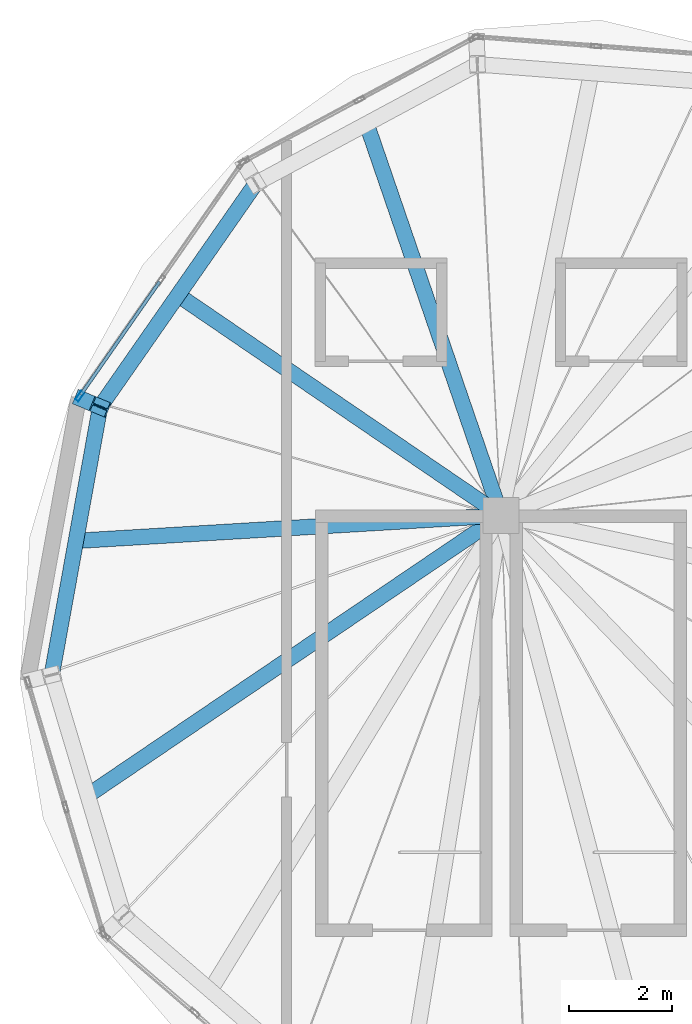
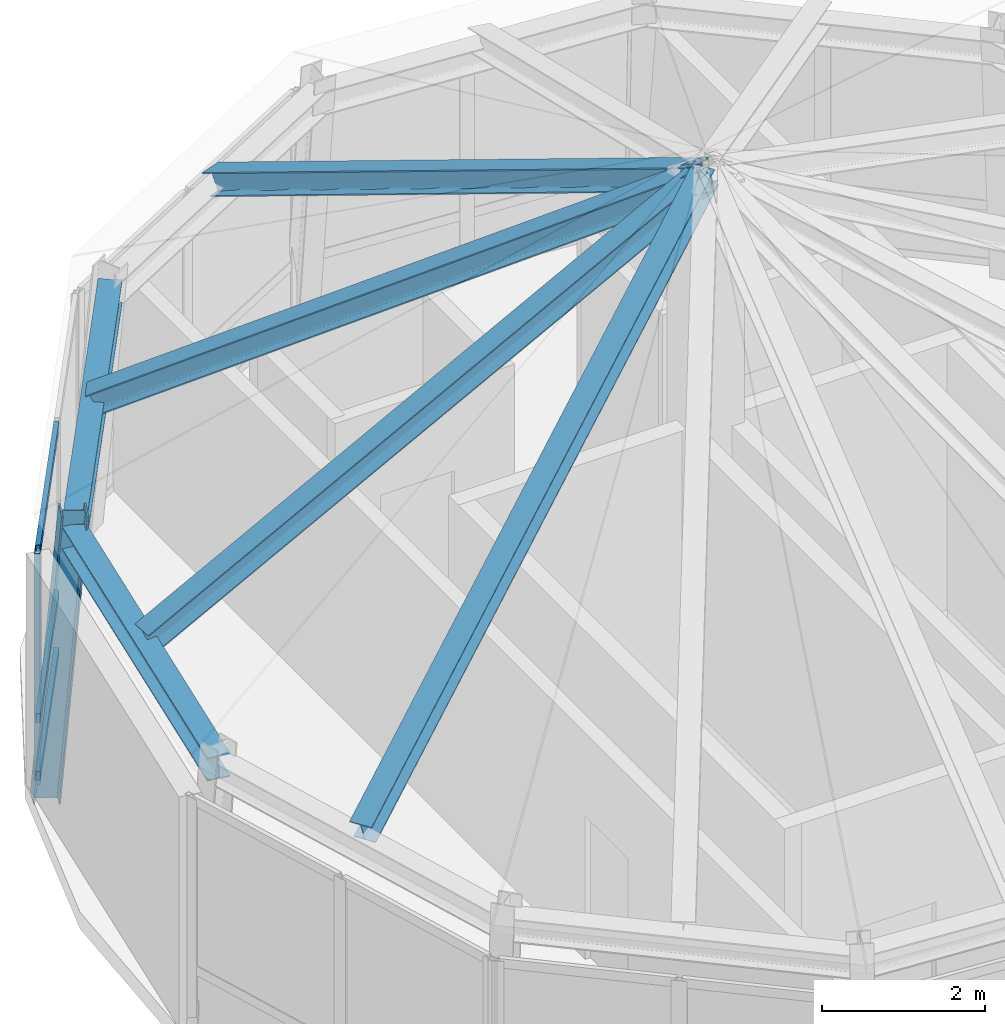
# One storey, part 3 of 8: 6 beams, 5 members, 1 element without a shape of its own.
"""IFC4 building model written with IfcOpenShell, lengths in metres."""

from ifc_helpers import new_model, si_unit, direction, frame, origin, origin_2d, place, context, subcontext, project, spatial, hollow_rectangle, i_section, extrude, material, layer, layer_set, material_profile, profile_set, type_object, element, aggregate, save


model = new_model("IFC4")

# Units and contexts
model_context = context("Model", 3, precision=1e-05, world=origin(), true_north=direction((0.0, 1.0)))
body_context = subcontext(model_context, "Body", "Model", "MODEL_VIEW")
ifc_project = project(units=[si_unit("LENGTHUNIT", "METRE"), si_unit("AREAUNIT", "SQUARE_METRE"), si_unit("VOLUMEUNIT", "CUBIC_METRE"), si_unit("PLANEANGLEUNIT", "RADIAN"), si_unit("MASSUNIT", "GRAM", prefix="KILO"), si_unit("THERMODYNAMICTEMPERATUREUNIT", "KELVIN"), si_unit("POWERUNIT", "WATT")], contexts=[model_context])

# Site, building, storey
site_placement = place(None, origin())
site = spatial("IfcSite", under=ifc_project, at=site_placement, CompositionType="ELEMENT")
building_placement = place(site_placement, origin())
building = spatial("IfcBuilding", under=site, at=building_placement, Name="Ocrelia Relay Tower", CompositionType="ELEMENT")
storey_placement = place(building_placement, frame((0.0, 0.0, 308.0)))
storey = spatial("IfcBuildingStorey", under=building, at=storey_placement, Name="L77", CompositionType="ELEMENT", Elevation=308.0)

# Beams
ifc_material_1 = material(Name="Steel S355", Category="steel")
ifc_material_profile_1 = material_profile(ifc_material_1, i_section(OverallWidth=0.300048828125, OverallDepth=0.330078125, WebThickness=0.009521484375, FlangeThickness=0.0166015625, FilletRadius=0.027099609375, at=origin_2d()), Name="HEA 340")
ifc_profile_set_1 = profile_set([ifc_material_profile_1], Name="Steel S355")
beam_type_1 = type_object("IfcBeamType", Name="BM-HEA340", PredefinedType="BEAM", material=ifc_profile_set_1)
beam_1_placement = place(storey_placement, frame((31.399169921875, 34.697509765625, 3.866943359375), z_axis=(0.293913471197, -0.856302675822, 0.424688825883), x_axis=(0.94583610352, 0.324644521404, 0.0)))
element("IfcBeam", 1, at=beam_1_placement, inside=storey, type_object=beam_type_1, Name="L77 Glass-Point Crown Apex Rafter RF02", PredefinedType="BEAM", context=body_context, shape_type="SweptSolid", body=[
    extrude(i_section(OverallWidth=0.300048828125, OverallDepth=0.330078125, WebThickness=0.009521484375, FlangeThickness=0.0166015625, FilletRadius=0.027099609375, at=origin_2d()), origin(), (0.0, 0.0, 1.0), 8.848876953125),
])
beam_2_placement = place(storey_placement, frame((27.749267578125, 31.383544921875, 3.857421875), z_axis=(0.739635578531, -0.504482135214, 0.44546266535), x_axis=(0.563477990074, 0.826131075981, 0.0)))
element("IfcBeam", 2, at=beam_2_placement, inside=storey, type_object=beam_type_1, Name="L77 Glass-Point Crown Apex Rafter RF03", PredefinedType="BEAM", context=body_context, shape_type="SweptSolid", body=[
    extrude(i_section(OverallWidth=0.300048828125, OverallDepth=0.330078125, WebThickness=0.009521484375, FlangeThickness=0.0166015625, FilletRadius=0.027099609375, at=origin_2d()), origin(), (0.0, 0.0, 1.0), 8.451171875),
])
beam_3_placement = place(storey_placement, frame((25.7744140625, 26.62744140625, 3.8486328125), z_axis=(0.907436955465, 0.05435141209, 0.41665824828), x_axis=(-0.059788375556, 0.998211074948, 0.0)))
element("IfcBeam", 3, at=beam_3_placement, inside=storey, type_object=beam_type_1, Name="L77 Glass-Point Crown Apex Rafter RF04", PredefinedType="BEAM", context=body_context, shape_type="SweptSolid", body=[
    extrude(i_section(OverallWidth=0.300048828125, OverallDepth=0.330078125, WebThickness=0.009521484375, FlangeThickness=0.0166015625, FilletRadius=0.027099609375, at=origin_2d()), origin(), (0.0, 0.0, 1.0), 9.064697265625),
])
beam_4_placement = place(storey_placement, frame((26.00341796875, 21.702880859375, 3.84228515625), z_axis=(0.770685998268, 0.522096587152, 0.365319375011), x_axis=(-0.560862117524, 0.827909225173, 0.0)))
element("IfcBeam", 4, at=beam_4_placement, inside=storey, type_object=beam_type_1, Name="L77 Glass-Point Crown Apex Rafter RF05", PredefinedType="BEAM", context=body_context, shape_type="SweptSolid", body=[
    extrude(i_section(OverallWidth=0.300048828125, OverallDepth=0.330078125, WebThickness=0.009521484375, FlangeThickness=0.0166015625, FilletRadius=0.027099609375, at=origin_2d()), origin(), (0.0, 0.0, 1.0), 10.3759765625),
])
ifc_material_profile_2 = material_profile(ifc_material_1, i_section(OverallWidth=0.300048828125, OverallDepth=0.35009765625, WebThickness=0.010009765625, FlangeThickness=0.017578125, FilletRadius=0.027099609375, at=origin_2d()), Name="HEA 360")
ifc_profile_set_2 = profile_set([ifc_material_profile_2], Name="Steel S355")
beam_type_2 = type_object("IfcBeamType", Name="BM-HEA360", PredefinedType="SPANDREL", material=ifc_profile_set_2)
for number, where, z_axis, x_axis, name in (
    (5, (29.256591796875, 33.5458984375, 3.64501953125), (-0.57182005385, -0.820379074584, 0.0), (0.820379074584, -0.57182005385, 0.0), "L77 Crown Faceted Ring Beam R03"),
    (6, (26.2421875, 29.22119140625, 3.64501953125), (-0.177475087064, -0.984125293584, 0.0), (0.984125293584, -0.177475087064, 0.0), "L77 Crown Faceted Ring Beam R04"),
):
    element("IfcBeam", number, at=place(storey_placement, frame(where, z_axis=z_axis, x_axis=x_axis)), inside=storey, type_object=beam_type_2, Name=name, PredefinedType="SPANDREL", context=body_context, shape_type="SweptSolid", body=[
        extrude(i_section(OverallWidth=0.300048828125, OverallDepth=0.35009765625, WebThickness=0.010009765625, FlangeThickness=0.017578125, FilletRadius=0.027099609375, at=origin_2d()), origin(), (0.0, 0.0, 1.0), 5.271484375),
    ])

# Curtain wall, members
ifc_material_2 = material(Name="Aluminium and solar-control low-E glass", Category="aluminium")
ifc_layer = layer(ifc_material_2, 0.179931640625, Name="Aluminium and solar-control low-E glass")
ifc_layer_set = layer_set([ifc_layer], Name="Aluminium and solar-control low-E glass")
curtain_wall_type = type_object("IfcCurtainWallType", Name="CW-SYS-CROWN-PT", PredefinedType="NOTDEFINED", material=ifc_layer_set)
curtain_wall_placement = place(storey_placement, origin())
curtain_wall = element("IfcCurtainWall", 7, at=curtain_wall_placement, inside=storey, type_object=curtain_wall_type, Name="L77 Faceted Glass-Point Crown Curtain Wall 03", PredefinedType="NOTDEFINED")
ifc_material_3 = material(Name="Anodised bronze aluminium", Category="aluminium")
ifc_material_profile_3 = material_profile(ifc_material_3, hollow_rectangle(XDim=0.074951171875, YDim=0.199951171875, WallThickness=0.006103515625, at=origin_2d()), Name="CW-MUL-200x75")
ifc_profile_set_3 = profile_set([ifc_material_profile_3], Name="Anodised bronze aluminium")
member_type_1 = type_object("IfcMemberType", Name="CW-SYS-CROWN-PT-MUL", PredefinedType="MULLION", material=ifc_profile_set_3)
member_1_placement = place(storey_placement, frame((25.84814453125, 29.424560546875, 0.0), z_axis=(0.0, 0.0, 1.0), x_axis=(0.820359766899, -0.571847753211, 0.0)))
member_1 = element("IfcMember", 8, at=member_1_placement, type_object=member_type_1, Name="CW-CR mullion 3", PredefinedType="MULLION", context=body_context, shape_type="SweptSolid", body=[
    extrude(hollow_rectangle(XDim=0.074951171875, YDim=0.199951171875, WallThickness=0.006103515625, at=origin_2d()), origin(), (0.0, 0.0, 1.0), 3.4599609375),
])
ifc_material_profile_4 = material_profile(ifc_material_3, hollow_rectangle(XDim=0.06494140625, YDim=0.139892578125, WallThickness=0.0048828125, at=origin_2d()), Name="CW-TRN-140x65")
ifc_profile_set_4 = profile_set([ifc_material_profile_4], Name="Anodised bronze aluminium")
member_type_2 = type_object("IfcMemberType", Name="CW-SYS-CROWN-PT-TRN", PredefinedType="USERDEFINED", material=ifc_profile_set_4)
member_2_placement = place(storey_placement, frame((27.392822265625, 31.640869140625, 0.032470703125), z_axis=(-0.571837518298, -0.82036690125, 0.0), x_axis=(0.82036690125, -0.571837518298, 0.0)))
member_2 = element("IfcMember", 9, at=member_2_placement, type_object=member_type_2, Name="CW-CR transom 2.1", ObjectType="TRANSOM", PredefinedType="USERDEFINED", context=body_context, shape_type="SweptSolid", body=[
    extrude(hollow_rectangle(XDim=0.06494140625, YDim=0.139892578125, WallThickness=0.0048828125, at=origin_2d()), origin(), (0.0, 0.0, 1.0), 2.6640625),
])
member_3_placement = place(storey_placement, frame((27.392822265625, 31.640869140625, 0.89990234375), z_axis=(-0.571837518298, -0.82036690125, 0.0), x_axis=(0.82036690125, -0.571837518298, 0.0)))
member_3 = element("IfcMember", 10, at=member_3_placement, type_object=member_type_2, Name="CW-CR transom 2.2", ObjectType="TRANSOM", PredefinedType="USERDEFINED", context=body_context, shape_type="SweptSolid", body=[
    extrude(hollow_rectangle(XDim=0.06494140625, YDim=0.139892578125, WallThickness=0.0048828125, at=origin_2d()), origin(), (0.0, 0.0, 1.0), 2.6640625),
])
member_4_placement = place(storey_placement, frame((27.392822265625, 31.640869140625, 3.427490234375), z_axis=(-0.571837518298, -0.82036690125, 0.0), x_axis=(0.82036690125, -0.571837518298, 0.0)))
member_4 = element("IfcMember", 11, at=member_4_placement, type_object=member_type_2, Name="CW-CR transom 2.3", ObjectType="TRANSOM", PredefinedType="USERDEFINED", context=body_context, shape_type="SweptSolid", body=[
    extrude(hollow_rectangle(XDim=0.06494140625, YDim=0.139892578125, WallThickness=0.0048828125, at=origin_2d()), origin(), (0.0, 0.0, 1.0), 2.6640625),
])
aggregate(curtain_wall, [member_1, member_2, member_3, member_4])

# Member
ifc_material_profile_5 = material_profile(ifc_material_1, i_section(OverallWidth=0.300048828125, OverallDepth=0.340087890625, WebThickness=0.011962890625, FlangeThickness=0.021484375, FilletRadius=0.027099609375, at=origin_2d()), Name="HEB 340")
ifc_profile_set_5 = profile_set([ifc_material_profile_5], Name="Steel S355")
member_type_3 = type_object("IfcMemberType", Name="MB-CROWN-RIB", PredefinedType="STRUT", material=ifc_profile_set_5)
member_5_placement = place(storey_placement, frame((25.9189453125, 29.35546875, -0.25), z_axis=(0.07524648458, -0.031257980755, 0.996674924535), x_axis=(0.383624631581, 0.923489113116, 0.0)))
element("IfcMember", 12, at=member_5_placement, inside=storey, type_object=member_type_3, Name="L77 Crown Faceted Structural Strut Rib CR04", PredefinedType="STRUT", context=body_context, shape_type="SweptSolid", body=[
    extrude(i_section(OverallWidth=0.300048828125, OverallDepth=0.340087890625, WebThickness=0.011962890625, FlangeThickness=0.021484375, FilletRadius=0.027099609375, at=origin_2d()), origin(), (0.0, 0.0, 1.0), 4.2958984375),
])

save(model, "model.ifc")
